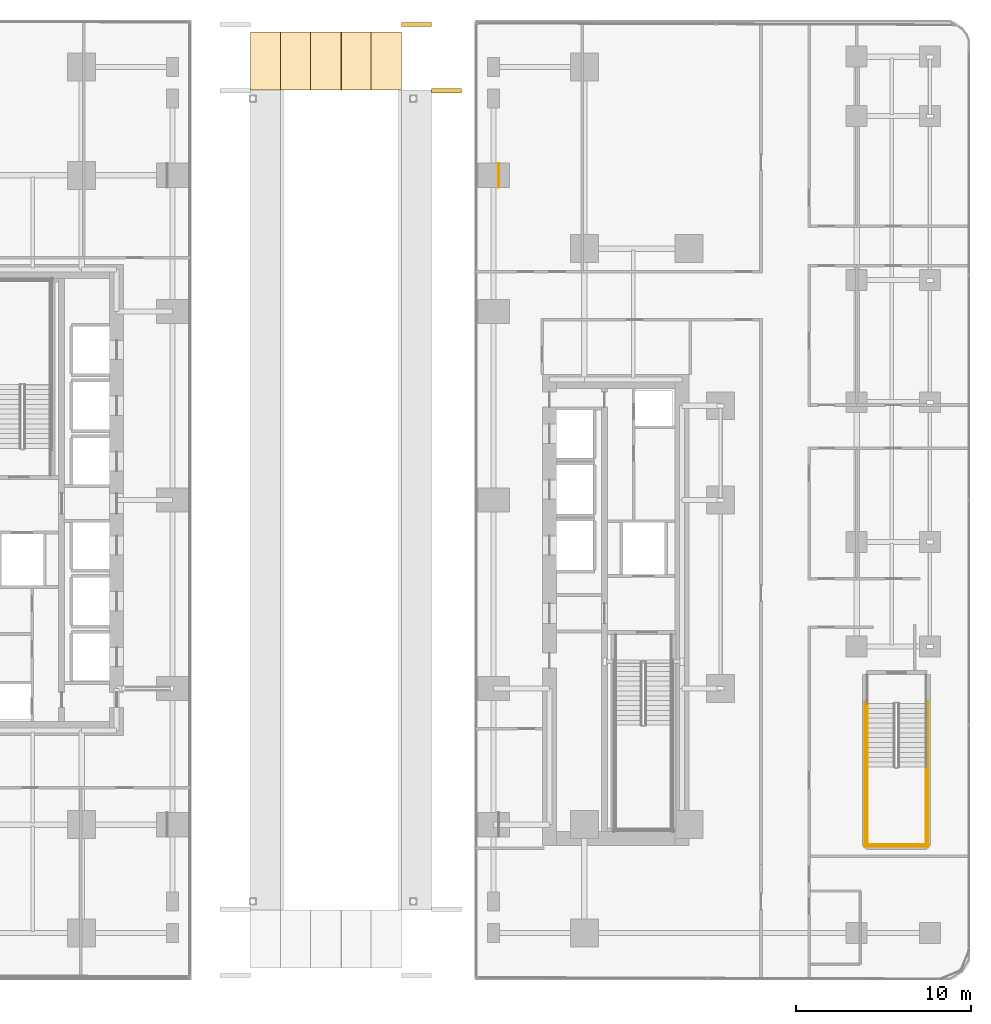
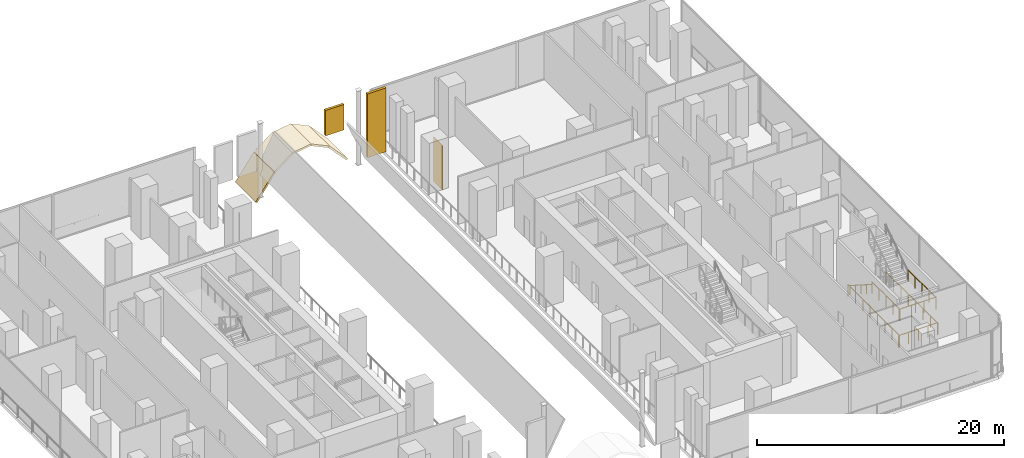
# One storey, part 30 of 31: 8 coverings, 7 railings.
"""IFC4 building model written with IfcOpenShell, lengths in metres."""

from ifc_helpers import new_model, si_unit, direction, frame, origin, origin_2d, place, context, subcontext, project, spatial, polyline, rectangle, circle, outline, extrude, material, layer, layer_set, type_object, element, save


model = new_model("IFC4")

# Units and contexts
model_context = context("Model", 3, precision=1e-05, world=origin(), true_north=direction((0.0, 1.0)))
body_context = subcontext(model_context, "Body", "Model", "MODEL_VIEW")
ifc_project = project(units=[si_unit("LENGTHUNIT", "METRE"), si_unit("AREAUNIT", "SQUARE_METRE"), si_unit("VOLUMEUNIT", "CUBIC_METRE"), si_unit("PLANEANGLEUNIT", "RADIAN"), si_unit("MASSUNIT", "GRAM", prefix="KILO")], contexts=[model_context])

# Site, building, storey
site_placement = place(None, origin())
site = spatial("IfcSite", under=ifc_project, at=site_placement, CompositionType="ELEMENT")
building_placement = place(site_placement, origin())
building = spatial("IfcBuilding", under=site, at=building_placement, Name="Khairoan Windgate Tower", CompositionType="ELEMENT")
storey_placement = place(building_placement, frame((0.0, 0.0, 11.0)))
storey = spatial("IfcBuildingStorey", under=building, at=storey_placement, Name="L03", CompositionType="ELEMENT", Elevation=11.0)

# Coverings
ifc_material_1 = material(Name="Anodised Bronze Aluminium 6063-T6", Category="aluminium")
ifc_layer_1 = layer(ifc_material_1, 0.0400390625, Name="Anodised Bronze Aluminium 6063-T6")
ifc_layer_set_1 = layer_set([ifc_layer_1], Name="Anodised Bronze Aluminium 6063-T6")
covering_type_1 = type_object("IfcCoveringType", Name="Anodised Bronze Arch Pier Cladding", PredefinedType="CLADDING", material=ifc_layer_set_1)
covering_1_placement = place(storey_placement, frame((9.5, 18.60009765625, 0.0), z_axis=(0.0, 0.0, 1.0), x_axis=(1.0, 0.0, 0.0)))
element("IfcCovering", 1, at=covering_1_placement, inside=storey, type_object=covering_type_1, Name="L03 Arch Pier Bronze Cladding 04", PredefinedType="CLADDING", context=body_context, shape_type="SweptSolid", body=[
    extrude(rectangle(XDim=0.0400390625, YDim=1.39990234375, at=origin_2d()), origin(), (0.0, 0.0, 1.0), 4.39990234375),
])
ifc_material_2 = material(Name="Anodised Bronze Aluminium 6063-T6", Category="aluminium")
ifc_layer_2 = layer(ifc_material_2, 0.179931640625, Name="Anodised Bronze Aluminium 6063-T6")
ifc_layer_set_2 = layer_set([ifc_layer_2], Name="Anodised Bronze Aluminium 6063-T6")
covering_type_2 = type_object("IfcCoveringType", Name="Sculpted Parabolic Arch and Crown Cladding", PredefinedType="CLADDING", material=ifc_layer_set_2)
covering_2_placement = place(storey_placement, frame((-4.739990234375, 23.5, 0.35693359375), z_axis=(-0.809216253039, 0.0, 0.587510898467), x_axis=(0.587510898467, 0.0, 0.809216253039)))
element("IfcCovering", 2, at=covering_2_placement, inside=storey, type_object=covering_type_2, Name="Podium Parabolic Arch Mouth Vault N-03", PredefinedType="CLADDING", context=body_context, shape_type="SweptSolid", body=[
    extrude(outline(polyline([(0.0, 0.0), (2.9445929824701955, 0.0), (2.9445929824701955, 3.300048828125), (0.0, 3.300048828125), (0.0, 0.0)])), origin(), (0.0, 0.0, -1.0), 0.179931640625),
])
covering_3_placement = place(storey_placement, frame((-3.010009765625, 23.5, 2.73974609375), z_axis=(-0.606337334834, 0.0, 0.795207542964), x_axis=(0.795207542964, 0.0, 0.606337334834)))
element("IfcCovering", 3, at=covering_3_placement, inside=storey, type_object=covering_type_2, Name="Podium Parabolic Arch Mouth Vault N-04", PredefinedType="CLADDING", context=body_context, shape_type="SweptSolid", body=[
    extrude(outline(polyline([(0.0, 0.0), (2.1755081224484973, 0.0), (2.1755081224484973, 3.300048828125), (0.0, 3.300048828125), (0.0, 0.0)])), origin(), (0.0, 0.0, -1.0), 0.179931640625),
])
covering_4_placement = place(storey_placement, frame((-1.280029296875, 23.5, 4.058837890625), z_axis=(-0.145895913517, 0.0, 0.989299945628), x_axis=(0.989299945628, 0.0, 0.145895913517)))
element("IfcCovering", 4, at=covering_4_placement, inside=storey, type_object=covering_type_2, Name="Podium Parabolic Arch Mouth Vault N-05", PredefinedType="CLADDING", context=body_context, shape_type="SweptSolid", body=[
    extrude(outline(polyline([(0.0, 0.0), (1.7486915635604, 0.0), (1.7486915635604, 3.300048828125001), (0.0, 3.300048828125001), (0.0, 0.0)])), origin(), (0.0, 0.0, -1.0), 0.179931640625),
])
covering_5_placement = place(storey_placement, frame((0.449951171875, 23.5, 4.31396484375), z_axis=(0.423431307248, 0.0, 0.905928213515), x_axis=(0.905928213515, 0.0, -0.423431307248)))
element("IfcCovering", 5, at=covering_5_placement, inside=storey, type_object=covering_type_2, Name="Podium Parabolic Arch Mouth Vault N-06", PredefinedType="CLADDING", context=body_context, shape_type="SweptSolid", body=[
    extrude(outline(polyline([(0.0, 0.0), (1.909622024065373, 0.0), (1.909622024065373, 3.3000488281249996), (0.0, 3.3000488281249996), (0.0, 0.0)])), origin(), (0.0, 0.0, -1.0), 0.179931640625),
])
covering_6_placement = place(storey_placement, frame((2.179931640625, 23.5, 3.50537109375), z_axis=(0.734472899278, 0.0, 0.678638018553), x_axis=(0.678638018553, 0.0, -0.734472899278)))
element("IfcCovering", 6, at=covering_6_placement, inside=storey, type_object=covering_type_2, Name="Podium Parabolic Arch Mouth Vault N-07", PredefinedType="CLADDING", context=body_context, shape_type="SweptSolid", body=[
    extrude(outline(polyline([(0.0, 0.0), (2.5491947421955112, 0.0), (2.5491947421955112, 3.300048828125), (0.0, 3.300048828125), (0.0, 0.0)])), origin(), (0.0, 0.0, -1.0), 0.179931640625),
])
covering_7_placement = place(storey_placement, frame((4.77490234375, 27.25, 1.682861328125), z_axis=(0.0, 0.0, 1.0), x_axis=(1.0, 0.0, 0.0)))
element("IfcCovering", 7, at=covering_7_placement, inside=storey, type_object=covering_type_2, Name="Podium Parabolic Arch Tympanum Cladding N-08", PredefinedType="CLADDING", context=body_context, shape_type="SweptSolid", body=[
    extrude(rectangle(XDim=1.72998046875, YDim=0.239990234375, at=origin_2d()), origin(), (0.0, 0.0, 1.0), 2.51708984375),
])
covering_8_placement = place(storey_placement, frame((6.5048828125, 23.449951171875, 1.223388671875), z_axis=(0.0, 0.0, 1.0), x_axis=(1.0, 0.0, 0.0)))
element("IfcCovering", 8, at=covering_8_placement, inside=storey, type_object=covering_type_2, Name="Upper Parabolic Arch Tympanum Cladding N-09", PredefinedType="CLADDING", context=body_context, shape_type="SweptSolid", body=[
    extrude(rectangle(XDim=1.72998046875, YDim=0.239990234375, at=origin_2d()), origin(), (0.0, 0.0, 1.0), 6.31689453125),
])

# Railings
ifc_material_3 = material(Name="Anodised Bronze Aluminium 6063-T6", Category="aluminium")
railing_type_1 = type_object("IfcRailingType", Name="Stair Wall Handrail SHR-900", PredefinedType="HANDRAIL", material=ifc_material_3)
railing_1_placement = place(storey_placement, frame((30.60009765625, -11.659912109375, 0.178466796875)))
element("IfcRailing", 9, at=railing_1_placement, inside=storey, type_object=railing_type_1, Name="L03 ST3 stair handrail 1", PredefinedType="HANDRAIL", context=body_context, shape_type="SweptSolid", body=[
    extrude(circle(Radius=0.02392578125, at=origin_2d()), frame((0.0, 0.0, 0.8759765625), z_axis=(0.0, -0.843127859045, 0.537713132908), x_axis=(1.0, 0.0, 0.0)), (0.0, 0.0, 1.0), 4.3173828125),
    extrude(circle(Radius=0.02099609375, at=origin_2d()), origin(), (0.0, 0.0, 1.0), 0.851806640625),
    extrude(circle(Radius=0.02099609375, at=origin_2d()), frame((0.0, -0.91015625, 0.580322265625)), (0.0, 0.0, 1.0), 0.851806640625),
    extrude(circle(Radius=0.02099609375, at=origin_2d()), frame((0.0, -1.820068359375, 1.16064453125)), (0.0, 0.0, 1.0), 0.851806640625),
    extrude(circle(Radius=0.02099609375, at=origin_2d()), frame((0.0, -2.72998046875, 1.7412109375)), (0.0, 0.0, 1.0), 0.851806640625),
    extrude(circle(Radius=0.02099609375, at=origin_2d()), frame((0.0, -3.64013671875, 2.321533203125)), (0.0, 0.0, 1.0), 0.851806640625),
])
ifc_material_4 = material(Name="Steel S355", Category="steel")
railing_type_2 = type_object("IfcRailingType", Name="Stairwell Safety Guardrail SGR-1150", PredefinedType="GUARDRAIL", material=ifc_material_4)
for number, where, name in (
    (10, (30.60009765625, -15.300048828125, 2.5), "L03 ST3 stair guard 3"),
    (11, (33.969970703125, -15.300048828125, 2.5), "L03 ST3 stair guard 4"),
):
    element("IfcRailing", number, at=place(storey_placement, frame(where)), inside=storey, type_object=railing_type_2, Name=name, PredefinedType="GUARDRAIL", context=body_context, shape_type="SweptSolid", body=[
        extrude(circle(Radius=0.02392578125, at=origin_2d()), frame((0.0, 0.0, 1.1259765625), z_axis=(0.0, -1.0, 0.0), x_axis=(1.0, 0.0, 0.0)), (0.0, 0.0, 1.0), 4.5),
        extrude(circle(Radius=0.02099609375, at=origin_2d()), origin(), (0.0, 0.0, 1.0), 1.101806640625),
        extrude(circle(Radius=0.02099609375, at=origin_2d()), frame((0.0, -1.125, 0.0)), (0.0, 0.0, 1.0), 1.101806640625),
        extrude(circle(Radius=0.02099609375, at=origin_2d()), frame((0.0, -2.25, 0.0)), (0.0, 0.0, 1.0), 1.101806640625),
        extrude(circle(Radius=0.02099609375, at=origin_2d()), frame((0.0, -3.375, 0.0)), (0.0, 0.0, 1.0), 1.101806640625),
        extrude(circle(Radius=0.02099609375, at=origin_2d()), frame((0.0, -4.5, 0.0)), (0.0, 0.0, 1.0), 1.101806640625),
    ])
railing_2_placement = place(storey_placement, frame((30.550048828125, -19.75, 2.5)))
element("IfcRailing", 12, at=railing_2_placement, inside=storey, type_object=railing_type_2, Name="L03 ST3 stair guard 5", PredefinedType="GUARDRAIL", context=body_context, shape_type="SweptSolid", body=[
    extrude(circle(Radius=0.02392578125, at=origin_2d()), frame((0.0, 0.0, 1.1259765625), z_axis=(1.0, 0.0, 0.0), x_axis=(0.0, 1.0, 0.0)), (0.0, 0.0, 1.0), 3.469970703125),
    extrude(circle(Radius=0.02099609375, at=origin_2d()), origin(), (0.0, 0.0, 1.0), 1.101806640625),
    extrude(circle(Radius=0.02099609375, at=origin_2d()), frame((1.15673828125, 0.0, 0.0)), (0.0, 0.0, 1.0), 1.101806640625),
    extrude(circle(Radius=0.02099609375, at=origin_2d()), frame((2.313232421875, 0.0, 0.0)), (0.0, 0.0, 1.0), 1.101806640625),
    extrude(circle(Radius=0.02099609375, at=origin_2d()), frame((3.469970703125, 0.0, 0.0)), (0.0, 0.0, 1.0), 1.101806640625),
])
for number, where, name in (
    (13, (30.5, -11.56005859375, 0.0), "L03 ST3 stair guard 10"),
    (14, (34.070068359375, -11.56005859375, 0.0), "L03 ST3 stair guard 11"),
):
    element("IfcRailing", number, at=place(storey_placement, frame(where)), inside=storey, type_object=railing_type_2, Name=name, PredefinedType="GUARDRAIL", context=body_context, shape_type="SweptSolid", body=[
        extrude(circle(Radius=0.02392578125, at=origin_2d()), frame((0.0, 0.0, 1.1259765625), z_axis=(0.0, -1.0, 0.0), x_axis=(1.0, 0.0, 0.0)), (0.0, 0.0, 1.0), 8.33984375),
        extrude(circle(Radius=0.02099609375, at=origin_2d()), origin(), (0.0, 0.0, 1.0), 1.101806640625),
        extrude(circle(Radius=0.02099609375, at=origin_2d()), frame((0.0, -1.19140625, 0.0)), (0.0, 0.0, 1.0), 1.101806640625),
        extrude(circle(Radius=0.02099609375, at=origin_2d()), frame((0.0, -2.3828125, 0.0)), (0.0, 0.0, 1.0), 1.101806640625),
        extrude(circle(Radius=0.02099609375, at=origin_2d()), frame((0.0, -3.57421875, 0.0)), (0.0, 0.0, 1.0), 1.101806640625),
        extrude(circle(Radius=0.02099609375, at=origin_2d()), frame((0.0, -4.765625, 0.0)), (0.0, 0.0, 1.0), 1.101806640625),
        extrude(circle(Radius=0.02099609375, at=origin_2d()), frame((0.0, -5.95703125, 0.0)), (0.0, 0.0, 1.0), 1.101806640625),
        extrude(circle(Radius=0.02099609375, at=origin_2d()), frame((0.0, -7.1484375, 0.0)), (0.0, 0.0, 1.0), 1.101806640625),
        extrude(circle(Radius=0.02099609375, at=origin_2d()), frame((0.0, -8.33984375, 0.0)), (0.0, 0.0, 1.0), 1.101806640625),
    ])
railing_3_placement = place(storey_placement, frame((30.449951171875, -19.85009765625, 0.0)))
element("IfcRailing", 15, at=railing_3_placement, inside=storey, type_object=railing_type_2, Name="L03 ST3 stair guard 12", PredefinedType="GUARDRAIL", context=body_context, shape_type="SweptSolid", body=[
    extrude(circle(Radius=0.02392578125, at=origin_2d()), frame((0.0, 0.0, 1.1259765625), z_axis=(1.0, 0.0, 0.0), x_axis=(0.0, 1.0, 0.0)), (0.0, 0.0, 1.0), 3.670166015625),
    extrude(circle(Radius=0.02099609375, at=origin_2d()), origin(), (0.0, 0.0, 1.0), 1.101806640625),
    extrude(circle(Radius=0.02099609375, at=origin_2d()), frame((0.91748046875, 0.0, 0.0)), (0.0, 0.0, 1.0), 1.101806640625),
    extrude(circle(Radius=0.02099609375, at=origin_2d()), frame((1.8349609375, 0.0, 0.0)), (0.0, 0.0, 1.0), 1.101806640625),
    extrude(circle(Radius=0.02099609375, at=origin_2d()), frame((2.752685546875, 0.0, 0.0)), (0.0, 0.0, 1.0), 1.101806640625),
    extrude(circle(Radius=0.02099609375, at=origin_2d()), frame((3.670166015625, 0.0, 0.0)), (0.0, 0.0, 1.0), 1.101806640625),
])

save(model, "model.ifc")
